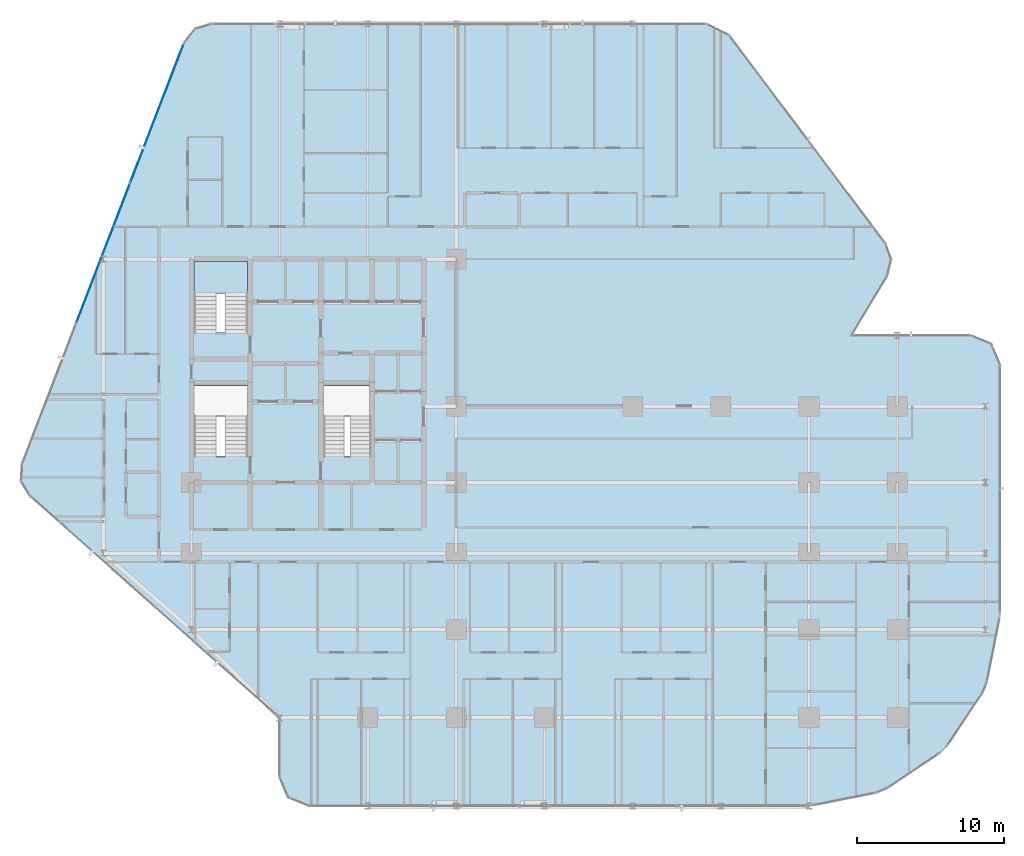
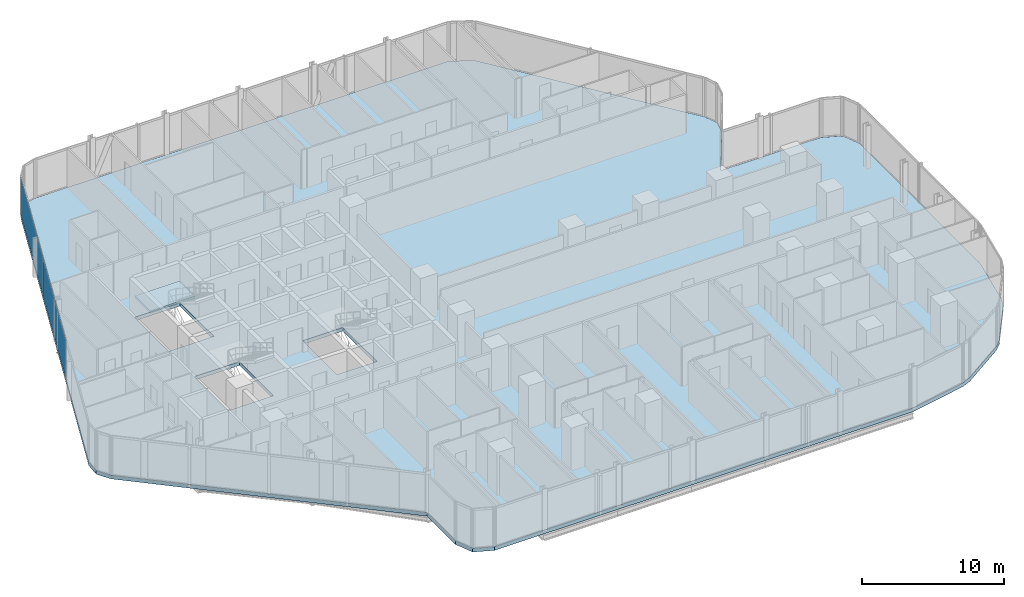
# One storey, part 23 of 35: 2 plates, 2 slabs, 2 elements without a shape of their own.
"""IFC4 building model written with IfcOpenShell, lengths in metres."""

from ifc_helpers import new_model, si_unit, direction, frame, origin, origin_2d, place, context, subcontext, project, spatial, polyline, rectangle, outline, extrude, material, layer, layer_set, type_object, element, aggregate, save


model = new_model("IFC4")

# Units and contexts
model_context = context("Model", 3, precision=1e-05, world=origin(), true_north=direction((0.0, 1.0)))
body_context = subcontext(model_context, "Body", "Model", "MODEL_VIEW")
ifc_project = project(units=[si_unit("LENGTHUNIT", "METRE"), si_unit("AREAUNIT", "SQUARE_METRE"), si_unit("VOLUMEUNIT", "CUBIC_METRE"), si_unit("PLANEANGLEUNIT", "RADIAN"), si_unit("MASSUNIT", "GRAM", prefix="KILO")], contexts=[model_context])

# Site, building, storey
site_placement = place(None, origin())
site = spatial("IfcSite", under=ifc_project, at=site_placement, CompositionType="ELEMENT")
building_placement = place(site_placement, origin())
building = spatial("IfcBuilding", under=site, at=building_placement, Name="Keshet Zoharim Tower", CompositionType="ELEMENT")
storey_placement = place(building_placement, frame((0.0, 0.0, 24.0)))
storey = spatial("IfcBuildingStorey", under=building, at=storey_placement, Name="L04", CompositionType="ELEMENT", Elevation=24.0)

# Curtain wall, plates
ifc_material_1 = material(Name="Aluminium 6063-T6", Category="aluminium")
ifc_layer_1 = layer(ifc_material_1, 0.179931640625)
ifc_layer_set_1 = layer_set([ifc_layer_1], Name="Aluminium 6063-T6")
curtain_wall_type = type_object("IfcCurtainWallType", Name="CW-SYS-01", PredefinedType="NOTDEFINED", material=ifc_layer_set_1)
curtain_wall_placement = place(storey_placement, origin())
curtain_wall = element("IfcCurtainWall", 1, at=curtain_wall_placement, inside=storey, type_object=curtain_wall_type, Name="L04 Unitised Curtain Wall 04", PredefinedType="NOTDEFINED")
ifc_material_2 = material(Name="Insulated Low-E Clear Glass", Category="glass")
ifc_layer_2 = layer(ifc_material_2, 0.035888671875)
ifc_layer_set_2 = layer_set([ifc_layer_2], Name="Insulated Low-E Clear Glass")
plate_type = type_object("IfcPlateType", Name="CWP-01", PredefinedType="CURTAIN_PANEL", material=ifc_layer_set_2)
plate_1_placement = place(storey_placement, frame((9.001953125, 38.305419921875, 0.06982421875), z_axis=(0.0, 0.0, 1.0), x_axis=(0.358990003907, 0.933341404361, 0.0)))
plate_1 = element("IfcPlate", 2, at=plate_1_placement, type_object=plate_type, Name="CW-01 panel 2.1", PredefinedType="CURTAIN_PANEL", context=body_context, shape_type="SweptSolid", body=[
    extrude(rectangle(XDim=10.153076171875, YDim=0.035888671875, at=origin_2d()), origin(), (0.0, 0.0, 1.0), 3.2451171875),
])
plate_2_placement = place(storey_placement, frame((12.665771484375, 47.830810546875, 0.06982421875), z_axis=(0.0, 0.0, 1.0), x_axis=(0.358990003907, 0.933341404361, 0.0)))
plate_2 = element("IfcPlate", 3, at=plate_2_placement, type_object=plate_type, Name="CW-01 panel 3.1", PredefinedType="CURTAIN_PANEL", context=body_context, shape_type="SweptSolid", body=[
    extrude(rectangle(XDim=10.1181640625, YDim=0.035888671875, at=origin_2d()), origin(), (0.0, 0.0, 1.0), 3.2451171875),
])
aggregate(curtain_wall, [plate_1, plate_2])

# Stair, slab
ifc_material_3 = material(Name="Concrete C50/60", Category="concrete")
stair_type = type_object("IfcStairType", Name="STR-EXIT-135", PredefinedType="HALF_TURN_STAIR", material=ifc_material_3)
stair_placement = place(storey_placement, origin())
stair = element("IfcStair", 4, at=stair_placement, inside=storey, type_object=stair_type, Name="L04 Enclosed Exit Stair ST-02", PredefinedType="HALF_TURN_STAIR")
ifc_layer_3 = layer(ifc_material_3, 0.199951171875)
ifc_layer_set_3 = layer_set([ifc_layer_3], Name="Concrete C50/60")
slab_type_1 = type_object("IfcSlabType", Name="SLB-LND-200", PredefinedType="LANDING", material=ifc_layer_set_3)
slab_1_placement = place(storey_placement, frame((0.0, 0.0, 1.64990234375)))
slab_1 = element("IfcSlab", 5, at=slab_1_placement, type_object=slab_type_1, Name="ST-02 landing 1", PredefinedType="LANDING", context=body_context, shape_type="SweptSolid", body=[
    extrude(outline(polyline([(15.179931640625, 35.56005859375), (18.820068359375, 35.56005859375), (18.820068359375, 37.719970703125), (15.179931640625, 37.719970703125), (15.179931640625, 35.56005859375)])), origin(), (0.0, 0.0, 1.0), 0.2001953125),
])
aggregate(stair, [slab_1])

# Slab
ifc_layer_4 = layer(ifc_material_3, 0.31494140625)
ifc_layer_set_4 = layer_set([ifc_layer_4], Name="Concrete C50/60")
slab_type_2 = type_object("IfcSlabType", Name="SLB-LOW-260", PredefinedType="FLOOR", material=ifc_layer_set_4)
slab_2_placement = place(storey_placement, frame((0.0, 0.0, -0.31494140625)))
element("IfcSlab", 6, at=slab_2_placement, inside=storey, type_object=slab_type_2, Name="L04 Structural Floor Slab 1", PredefinedType="FLOOR", context=body_context, shape_type="SweptSolid", body=[
    extrude(outline(polyline([(21.0, 6.699951171875), (4.034912109375, 21.780029296875), (3.419921875, 22.802001953125), (3.4970703125, 23.992919921875), (14.507080078125, 52.617919921875), (15.240966796875, 53.549072265625), (16.3740234375, 53.89990234375), (50.0, 53.89990234375), (51.60009765625, 53.10009765625), (62.193115234375, 38.97607421875), (62.590087890625, 37.87890625), (62.30810546875, 36.7470703125), (59.8798828125, 32.699951171875), (68.0, 32.699951171875), (69.4140625, 32.114013671875), (70.0, 30.699951171875), (70.0, 13.89697265625), (69.9619140625, 13.507080078125), (69.087890625, 9.114990234375), (68.7890625, 8.39404296875), (66.4130859375, 4.837890625), (65.862060546875, 4.287109375), (62.305908203125, 1.910888671875), (61.5849609375, 1.612060546875), (57.193115234375, 0.738037109375), (56.802978515625, 0.699951171875), (23.0, 0.699951171875), (21.5859375, 1.285888671875), (21.0, 2.699951171875), (21.0, 6.699951171875)]), holes=[polyline([(15.179931640625, 24.52001953125), (18.820068359375, 24.52001953125), (18.820068359375, 29.320068359375), (15.179931640625, 29.320068359375), (15.179931640625, 24.52001953125)]), polyline([(15.179931640625, 32.919921875), (18.820068359375, 32.919921875), (18.820068359375, 37.719970703125), (15.179931640625, 37.719970703125), (15.179931640625, 32.919921875)]), polyline([(23.97998046875, 24.52001953125), (27.219970703125, 24.52001953125), (27.219970703125, 29.320068359375), (23.97998046875, 29.320068359375), (23.97998046875, 24.52001953125)])]), origin(), (0.0, 0.0, 1.0), 0.31494140625),
])

save(model, "model.ifc")
